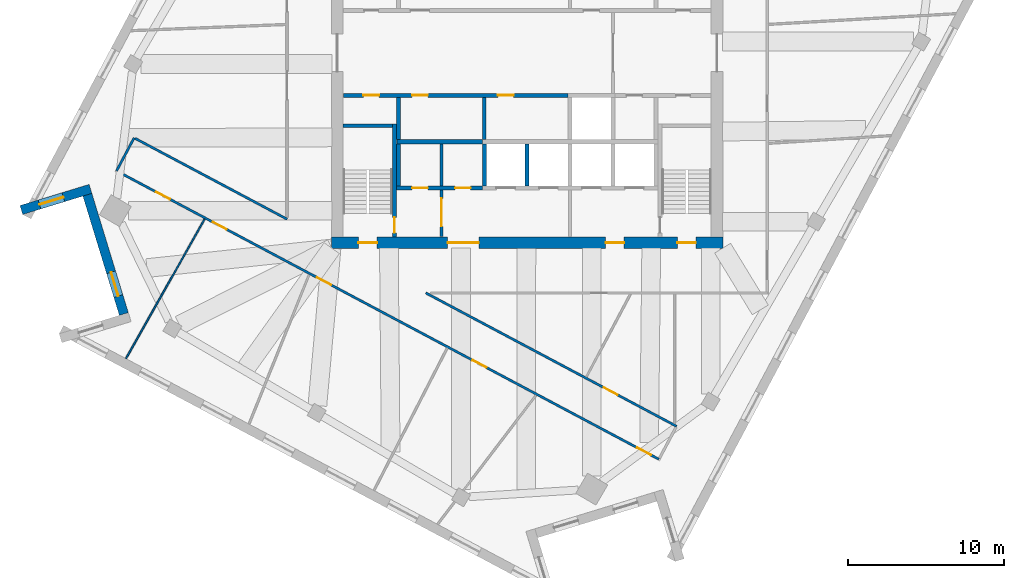
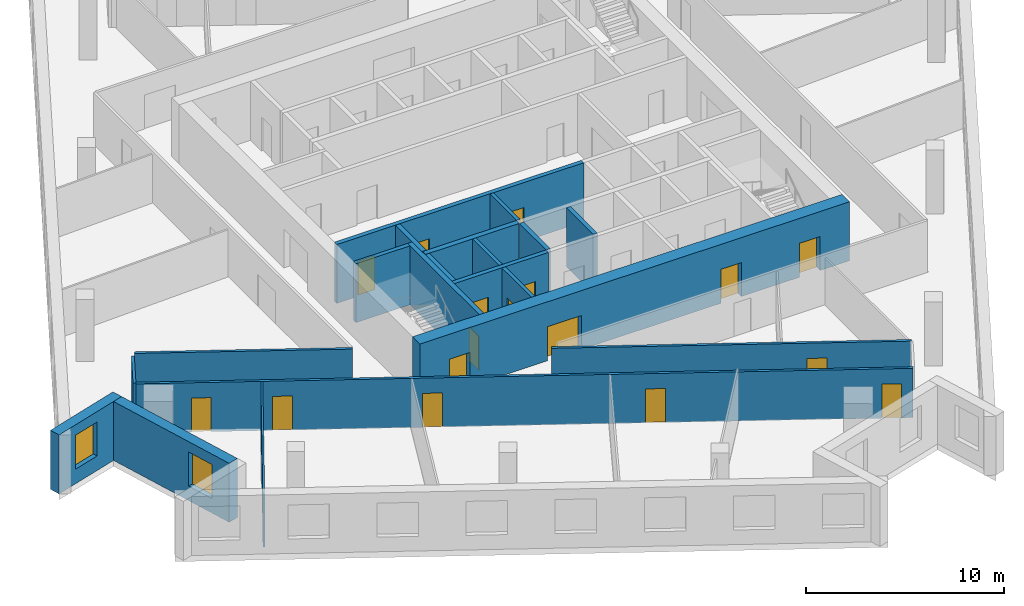
# One storey, part 6 of 13: 20 walls, 17 doors, 2 windows, 19 openings.
"""IFC4 building model written with IfcOpenShell, lengths in metres."""

import ifcopenshell
import ifcopenshell.guid

model = None  # the IFC model being written
_history = None  # IfcOwnerHistory: only IFC2X3 demands one
_inside = {}  # id of a spatial element -> (the spatial element, [elements in it])
_under = {}  # id of a project, library or spatial element -> (it, [spatial elements below it])
_declared = {}  # id of a project -> (the project, [libraries it declares])
_typed = {}  # id of a type object -> (the type object, [elements of that type])
_made_of = {}  # id of a material, layer set ... -> (it, [elements and type objects made of it])


def new_model(schema):
    """Start an empty IFC model of exactly this schema.

    Asked for "IFC4X3", IfcOpenShell would pick the latest addendum, in which some entities
    have other attributes; the version numbers below select the first issue.
    IFC2X3 requires an IfcOwnerHistory on every rooted entity: one is made here for all.
    """
    global model, _history
    if schema == "IFC4X3":
        model = ifcopenshell.file(schema_version=(4, 3, 0, 0))
    else:
        model = ifcopenshell.file(schema=schema)
    _inside.clear()
    _under.clear()
    _declared.clear()
    _typed.clear()
    _made_of.clear()
    _history = None
    if model.schema == "IFC2X3":
        org = make("IfcOrganization", Name="unknown")
        user = make(
            "IfcPersonAndOrganization",
            ThePerson=make("IfcPerson", FamilyName="unknown"),
            TheOrganization=org,
        )
        app = make(
            "IfcApplication",
            ApplicationDeveloper=org,
            Version="unknown",
            ApplicationFullName="unknown",
            ApplicationIdentifier="unknown",
        )
        _history = make(
            "IfcOwnerHistory",
            OwningUser=user,
            OwningApplication=app,
            ChangeAction="ADDED",
            CreationDate=0,
        )
    return model


def make(cls, **values):
    """One entity of the class cls with the attributes given. An attribute that is None is left unset."""
    return model.create_entity(
        cls, **{name: value for name, value in values.items() if value is not None}
    )


def rooted(cls, **values):
    """An entity with a GlobalId (a new one), such as an element, a storey or a relation."""
    return make(cls, GlobalId=ifcopenshell.guid.new(), OwnerHistory=_history, **values)


def si_unit(unit_type, name, prefix=None):
    """IfcSIUnit, for example si_unit("LENGTHUNIT", "METRE", prefix="MILLI")."""
    return make("IfcSIUnit", UnitType=unit_type, Prefix=prefix, Name=name)


def assignment(units):
    """IfcUnitAssignment: the units of a project."""
    return None if units is None else make("IfcUnitAssignment", Units=units)


def point(xyz):
    """IfcCartesianPoint."""
    return None if xyz is None else make("IfcCartesianPoint", Coordinates=xyz)


def direction(xyz):
    """IfcDirection."""
    return None if xyz is None else make("IfcDirection", DirectionRatios=xyz)


def frame(location, z_axis=None, x_axis=None):
    """IfcAxis2Placement3D, a coordinate frame: its origin and axes. An axis left out is left unset."""
    return make(
        "IfcAxis2Placement3D",
        Location=point(location),
        Axis=direction(z_axis),
        RefDirection=direction(x_axis),
    )


def frame_2d(location, x_axis=None):
    """IfcAxis2Placement2D, a coordinate frame in the plane: its origin and x axis."""
    return make(
        "IfcAxis2Placement2D", Location=point(location), RefDirection=direction(x_axis)
    )


def origin():
    """The frame at (0, 0, 0) with its axes left unset."""
    return frame((0.0, 0.0, 0.0))


def place(relative_to, where):
    """IfcLocalPlacement: puts the frame where relative to a parent placement (None: the world)."""
    return make(
        "IfcLocalPlacement", PlacementRelTo=relative_to, RelativePlacement=where
    )


def context(
    kind, dimensions, precision=None, world=None, true_north=None, identifier=None
):
    """IfcGeometricRepresentationContext, for example the 3D "Model" context."""
    return make(
        "IfcGeometricRepresentationContext",
        ContextIdentifier=identifier,
        ContextType=kind,
        CoordinateSpaceDimension=dimensions,
        Precision=precision,
        WorldCoordinateSystem=world,
        TrueNorth=true_north,
    )


def subcontext(parent, identifier, kind, view, scale=None):
    """IfcGeometricRepresentationSubContext, for example "Body" below "Model"."""
    return make(
        "IfcGeometricRepresentationSubContext",
        ContextIdentifier=identifier,
        ContextType=kind,
        ParentContext=parent,
        TargetScale=scale,
        TargetView=view,
    )


def project(units=None, contexts=None):
    """IfcProject with its units and contexts."""
    return rooted(
        "IfcProject",
        Name="project",
        RepresentationContexts=contexts,
        UnitsInContext=assignment(units),
    )


def spatial(cls, under=None, at=None, **own):
    """A site, building, storey or space (cls), placed at a placement, below another one or the project."""
    s = rooted(cls, ObjectPlacement=at, **own)
    if under is not None:
        _under.setdefault(under.id(), (under, []))[1].append(s)
    return s


def profile(cls, at=None, kind="AREA", **sizes):
    """A parametric profile (cls). Its sizes go by their IFC names, for example OverallWidth=200.0."""
    return make(cls, ProfileType=kind, Position=at, **sizes)


def rectangle(**sizes):
    """IfcRectangleProfileDef."""
    return profile("IfcRectangleProfileDef", **sizes)


def extrude(swept, where, along, depth):
    """IfcExtrudedAreaSolid: the profile swept, set in the frame where, extruded along a direction by depth."""
    return make(
        "IfcExtrudedAreaSolid",
        SweptArea=swept,
        Position=where,
        ExtrudedDirection=direction(along),
        Depth=depth,
    )


def shape(context_of_items, identifier, shape_type, items):
    """IfcShapeRepresentation: the items that make up one representation, for example the "Body"."""
    return make(
        "IfcShapeRepresentation",
        ContextOfItems=context_of_items,
        RepresentationIdentifier=identifier,
        RepresentationType=shape_type,
        Items=items,
    )


def material(Name=None, Category=None):
    """IfcMaterial."""
    return make("IfcMaterial", Name=Name, Category=Category)


def layer(
    of_material, thickness, ventilated=None, Name=None, Category=None, Priority=None
):
    """IfcMaterialLayer: one layer of a wall or slab, of a material (None: an air gap)."""
    return make(
        "IfcMaterialLayer",
        Material=of_material,
        LayerThickness=thickness,
        IsVentilated=ventilated,
        Name=Name,
        Category=Category,
        Priority=Priority,
    )


def layer_set(layers, Name=None):
    """IfcMaterialLayerSet."""
    return make("IfcMaterialLayerSet", MaterialLayers=layers, LayerSetName=Name)


def made_of(thing, what):
    """Note that an element or type object is made of a material, layer set ...; save() writes the relation."""
    if what is not None:
        _made_of.setdefault(what.id(), (what, []))[1].append(thing)
    return thing


def type_object(cls, material=None, **own):
    """A type object (cls), such as IfcWallType, which elements share."""
    return made_of(rooted(cls, **own), material)


def element(
    cls,
    number,
    at=None,
    inside=None,
    cuts=None,
    type_object=None,
    material=None,
    context=None,
    identifier="Body",
    shape_type=None,
    held_by="IfcProductDefinitionShape",
    body=None,
    shapes=None,
    **own,
):
    """One element of the class cls, such as IfcWall. Its Tag is "e" and its number.

    at: its placement. inside: the storey or other place that contains it. cuts: it is an
    opening in that element (IfcRelVoidsElement). A single representation is given by context,
    identifier, shape_type and body (its items); several are given by shapes. held_by: the class
    of the entity that holds the representations. save() writes the other relations.
    """
    e = rooted(cls, Tag="e%d" % number, ObjectPlacement=at, **own)
    if body is not None:
        shapes = [shape(context, identifier, shape_type, body)]
    if shapes is not None:
        e.Representation = make(held_by, Representations=shapes)
    if inside is not None:
        _inside.setdefault(inside.id(), (inside, []))[1].append(e)
    if cuts is not None:
        rooted(
            "IfcRelVoidsElement", RelatingBuildingElement=cuts, RelatedOpeningElement=e
        )
    if type_object is not None:
        _typed.setdefault(type_object.id(), (type_object, []))[1].append(e)
    return made_of(e, material)


def fill(opening, filler):
    """IfcRelFillsElement: the door or window that sits in an opening."""
    return rooted(
        "IfcRelFillsElement",
        RelatingOpeningElement=opening,
        RelatedBuildingElement=filler,
    )


def aggregate(whole, parts):
    """IfcRelAggregates: a whole, such as a stair, and the parts it consists of."""
    return rooted("IfcRelAggregates", RelatingObject=whole, RelatedObjects=parts)


def save(model, path):
    """Write the relations noted so far, then the file.

    IfcRelAggregates (storeys below a building ...), IfcRelContainedInSpatialStructure (elements
    in a storey), IfcRelDefinesByType, IfcRelAssociatesMaterial and IfcRelDeclares: one each for
    every whole, place, type object, material and project.
    """
    for whole, parts in _under.values():
        aggregate(whole, parts)
    for where, things in _inside.values():
        rooted(
            "IfcRelContainedInSpatialStructure",
            RelatedElements=things,
            RelatingStructure=where,
        )
    for kind, things in _typed.values():
        rooted("IfcRelDefinesByType", RelatedObjects=things, RelatingType=kind)
    for what, things in _made_of.values():
        rooted("IfcRelAssociatesMaterial", RelatedObjects=things, RelatingMaterial=what)
    for by, libraries in _declared.values():
        rooted("IfcRelDeclares", RelatingContext=by, RelatedDefinitions=libraries)
    model.write(path)


model = new_model("IFC4")

# Units and contexts
model_context = context("Model", 3, precision=1e-05, world=origin(), true_north=direction((0.0, 1.0)))
body_context = subcontext(model_context, "Body", "Model", "MODEL_VIEW")
ifc_project = project(units=[si_unit("LENGTHUNIT", "METRE"), si_unit("AREAUNIT", "SQUARE_METRE"), si_unit("VOLUMEUNIT", "CUBIC_METRE"), si_unit("PLANEANGLEUNIT", "RADIAN"), si_unit("MASSUNIT", "GRAM", prefix="KILO")], contexts=[model_context])

# Site, building, storey
site_placement = place(None, origin())
site = spatial("IfcSite", under=ifc_project, at=site_placement, CompositionType="ELEMENT")
building_placement = place(site_placement, origin())
building = spatial("IfcBuilding", under=site, at=building_placement, Name="Dilmun Exchange Tower", CompositionType="ELEMENT")
storey_placement = place(building_placement, frame((0.0, 0.0, 278.89990234375)))
storey = spatial("IfcBuildingStorey", under=building, at=storey_placement, Name="L66", CompositionType="ELEMENT", Elevation=278.89990234375)

# Wall, opening, door
ifc_material_1 = material(Name="Concrete C40/50", Category="concrete")
ifc_layer_1 = layer(ifc_material_1, 0.199951171875)
ifc_layer_set_1 = layer_set([ifc_layer_1], Name="Concrete C40/50")
wall_type_1 = type_object("IfcWallType", Name="Core partition wall 200", PredefinedType="PARTITIONING", material=ifc_layer_set_1)
wall_1_placement = place(storey_placement, frame((-5.5, -11.794921875, 0.0), z_axis=(0.0, 0.0, 1.0), x_axis=(0.0, 1.0, 0.0)))
wall_1 = element("IfcWall", 1, at=wall_1_placement, inside=storey, type_object=wall_type_1, Name="L66 core partition wall 01", PredefinedType="PARTITIONING", context=body_context, shape_type="SweptSolid", body=[
    extrude(rectangle(XDim=2.989990234375, YDim=0.199951171875, at=frame_2d((1.4951171875, 0.0))), origin(), (0.0, 0.0, 1.0), 3.64013671875),
])
opening_1_placement = place(wall_1_placement, frame((0.657470703125, 0.0, 0.0)))
opening_1 = element("IfcOpeningElement", 2, at=opening_1_placement, cuts=wall_1, Name="Opening CD5", PredefinedType="OPENING", context=body_context, shape_type="SweptSolid", body=[
    extrude(rectangle(XDim=1.800048828125, YDim=2.10009765625, at=frame_2d((0.89990234375, 1.050048828125))), frame((0.0, 0.10986328125, 0.0), z_axis=(0.0, -1.0, 0.0), x_axis=(1.0, 0.0, 0.0)), (0.0, 0.0, 1.0), 0.219970703125),
])
ifc_material_2 = material(Name="Fire-rated steel door set", Category="steel")
door_type_1 = type_object("IfcDoorType", Name="Stair exit door 1800x2100", OperationType="SINGLE_SWING_LEFT", PredefinedType="DOOR", material=ifc_material_2)
door_1_placement = place(opening_1_placement, origin())
door_1 = element("IfcDoor", 3, at=door_1_placement, inside=storey, type_object=door_type_1, Name="L66 door Service lobby east", OperationType="SINGLE_SWING_LEFT", OverallHeight=2.10009765625, OverallWidth=1.800048828125, PredefinedType="DOOR", context=body_context, shape_type="SweptSolid", body=[
    extrude(rectangle(XDim=1.800048828125, YDim=2.10009765625, at=frame_2d((0.89990234375, 1.050048828125))), frame((0.0, 0.02490234375, 0.0), z_axis=(0.0, -1.0, 0.0), x_axis=(1.0, 0.0, 0.0)), (0.0, 0.0, 1.0), 0.050048828125),
])
fill(opening_1, door_1)

# Walls
for number, where, z_axis, x_axis, name in (
    (4, (-5.5, -8.544921875, 0.0), (0.0, 0.0, 1.0), (0.0, 1.0, 0.0), "L66 core partition wall 05"),
    (5, (-2.75, -5.544921875, 0.0), (0.0, 0.0, 1.0), (0.0, 1.0, 0.0), "L66 core partition wall 08"),
):
    element("IfcWall", number, at=place(storey_placement, frame(where, z_axis=z_axis, x_axis=x_axis)), inside=storey, type_object=wall_type_1, Name=name, PredefinedType="PARTITIONING", context=body_context, shape_type="SweptSolid", body=[
        extrude(rectangle(XDim=2.68994140625, YDim=0.199951171875, at=frame_2d((1.344970703125, 0.0))), origin(), (0.0, 0.0, 1.0), 3.64013671875),
    ])

# Wall, openings, doors
ifc_layer_2 = layer(ifc_material_1, 0.25)
ifc_layer_set_2 = layer_set([ifc_layer_2], Name="Concrete C40/50")
wall_type_2 = type_object("IfcWallType", Name="Core partition wall 250", PredefinedType="PARTITIONING", material=ifc_layer_set_2)
wall_2_placement = place(storey_placement, frame((-8.3701171875, -8.675048828125, 0.0), z_axis=(0.0, 0.0, 1.0), x_axis=(1.0, 0.0, 0.0)))
wall_2 = element("IfcWall", 6, at=wall_2_placement, inside=storey, type_object=wall_type_2, Name="L66 core partition wall 03", PredefinedType="PARTITIONING", context=body_context, shape_type="SweptSolid", body=[
    extrude(rectangle(XDim=5.490234375, YDim=0.25, at=frame_2d((2.7451171875, 0.0))), origin(), (0.0, 0.0, 1.0), 3.64013671875),
])
opening_2_placement = place(wall_2_placement, frame((0.9951171875, 0.0, 0.0)))
opening_2 = element("IfcOpeningElement", 7, at=opening_2_placement, cuts=wall_2, Name="Opening CD4", PredefinedType="OPENING", context=body_context, shape_type="SweptSolid", body=[
    extrude(rectangle(XDim=1.0, YDim=2.10009765625, at=frame_2d((0.5, 1.050048828125))), frame((0.0, 0.135009765625, 0.0), z_axis=(0.0, -1.0, 0.0), x_axis=(1.0, 0.0, 0.0)), (0.0, 0.0, 1.0), 0.27001953125),
])
opening_3_placement = place(wall_2_placement, frame((3.7451171875, 0.0, 0.0)))
opening_3 = element("IfcOpeningElement", 8, at=opening_3_placement, cuts=wall_2, Name="Opening CD4", PredefinedType="OPENING", context=body_context, shape_type="SweptSolid", body=[
    extrude(rectangle(XDim=1.0, YDim=2.10009765625, at=frame_2d((0.5, 1.050048828125))), frame((0.0, 0.135009765625, 0.0), z_axis=(0.0, -1.0, 0.0), x_axis=(1.0, 0.0, 0.0)), (0.0, 0.0, 1.0), 0.27001953125),
])
door_type_2 = type_object("IfcDoorType", Name="Core room door 1000x2100", OperationType="SINGLE_SWING_LEFT", PredefinedType="DOOR", material=ifc_material_2)
door_2_placement = place(opening_2_placement, origin())
door_2 = element("IfcDoor", 9, at=door_2_placement, inside=storey, type_object=door_type_2, Name="L66 door Male WC", OperationType="SINGLE_SWING_LEFT", OverallHeight=2.10009765625, OverallWidth=1.0, PredefinedType="DOOR", context=body_context, shape_type="SweptSolid", body=[
    extrude(rectangle(XDim=1.0, YDim=2.10009765625, at=frame_2d((0.5, 1.050048828125))), frame((0.0, 0.02490234375, 0.0), z_axis=(0.0, -1.0, 0.0), x_axis=(1.0, 0.0, 0.0)), (0.0, 0.0, 1.0), 0.050048828125),
])
fill(opening_2, door_2)
door_3_placement = place(opening_3_placement, origin())
door_3 = element("IfcDoor", 10, at=door_3_placement, inside=storey, type_object=door_type_2, Name="L66 door Female WC", OperationType="SINGLE_SWING_LEFT", OverallHeight=2.10009765625, OverallWidth=1.0, PredefinedType="DOOR", context=body_context, shape_type="SweptSolid", body=[
    extrude(rectangle(XDim=1.0, YDim=2.10009765625, at=frame_2d((0.5, 1.050048828125))), frame((0.0, 0.02490234375, 0.0), z_axis=(0.0, -1.0, 0.0), x_axis=(1.0, 0.0, 0.0)), (0.0, 0.0, 1.0), 0.050048828125),
])
fill(opening_3, door_3)

# Walls
for number, where, z_axis, x_axis, name in (
    (11, (-8.25, -8.544921875, 0.0), (0.0, 0.0, 1.0), (0.0, 1.0, 0.0), "L66 core partition wall 04"),
    (12, (-8.25, -5.544921875, 0.0), (0.0, 0.0, 1.0), (0.0, 1.0, 0.0), "L66 core partition wall 07"),
):
    element("IfcWall", number, at=place(storey_placement, frame(where, z_axis=z_axis, x_axis=x_axis)), inside=storey, type_object=wall_type_2, Name=name, PredefinedType="PARTITIONING", context=body_context, shape_type="SweptSolid", body=[
        extrude(rectangle(XDim=2.68994140625, YDim=0.25, at=frame_2d((1.344970703125, 0.0))), origin(), (0.0, 0.0, 1.0), 3.64013671875),
    ])

# Wall, openings, doors
wall_3_placement = place(storey_placement, frame((-11.794921875, -2.72509765625, 0.0), z_axis=(0.0, 0.0, 1.0), x_axis=(1.0, 0.0, 0.0)))
wall_3 = element("IfcWall", 13, at=wall_3_placement, inside=storey, type_object=wall_type_2, Name="L66 core partition wall 10", PredefinedType="PARTITIONING", context=body_context, shape_type="SweptSolid", body=[
    extrude(rectangle(XDim=14.4150390625, YDim=0.25, at=frame_2d((7.20751953125, 0.0))), origin(), (0.0, 0.0, 1.0), 3.64013671875),
])
opening_4_placement = place(wall_3_placement, frame((1.294921875, 0.0, 0.0)))
opening_4 = element("IfcOpeningElement", 14, at=opening_4_placement, cuts=wall_3, Name="Opening CD4", PredefinedType="OPENING", context=body_context, shape_type="SweptSolid", body=[
    extrude(rectangle(XDim=1.0, YDim=2.10009765625, at=frame_2d((0.5, 1.050048828125))), frame((0.0, 0.135009765625, 0.0), z_axis=(0.0, -1.0, 0.0), x_axis=(1.0, 0.0, 0.0)), (0.0, 0.0, 1.0), 0.27001953125),
])
opening_5_placement = place(wall_3_placement, frame((4.419921875, 0.0, 0.0)))
opening_5 = element("IfcOpeningElement", 15, at=opening_5_placement, cuts=wall_3, Name="Opening CD4", PredefinedType="OPENING", context=body_context, shape_type="SweptSolid", body=[
    extrude(rectangle(XDim=1.0, YDim=2.10009765625, at=frame_2d((0.5, 1.050048828125))), frame((0.0, 0.135009765625, 0.0), z_axis=(0.0, -1.0, 0.0), x_axis=(1.0, 0.0, 0.0)), (0.0, 0.0, 1.0), 0.27001953125),
])
opening_6_placement = place(wall_3_placement, frame((9.919921875, 0.0, 0.0)))
opening_6 = element("IfcOpeningElement", 16, at=opening_6_placement, cuts=wall_3, Name="Opening CD4", PredefinedType="OPENING", context=body_context, shape_type="SweptSolid", body=[
    extrude(rectangle(XDim=1.0, YDim=2.10009765625, at=frame_2d((0.5, 1.050048828125))), frame((0.0, 0.135009765625, 0.0), z_axis=(0.0, -1.0, 0.0), x_axis=(1.0, 0.0, 0.0)), (0.0, 0.0, 1.0), 0.27001953125),
])
door_4_placement = place(opening_4_placement, origin())
door_4 = element("IfcDoor", 17, at=door_4_placement, inside=storey, type_object=door_type_2, Name="L66 door Accessible WC", OperationType="SINGLE_SWING_LEFT", OverallHeight=2.10009765625, OverallWidth=1.0, PredefinedType="DOOR", context=body_context, shape_type="SweptSolid", body=[
    extrude(rectangle(XDim=1.0, YDim=2.10009765625, at=frame_2d((0.5, 1.050048828125))), frame((0.0, 0.02490234375, 0.0), z_axis=(0.0, -1.0, 0.0), x_axis=(1.0, 0.0, 0.0)), (0.0, 0.0, 1.0), 0.050048828125),
])
fill(opening_4, door_4)
door_5_placement = place(opening_5_placement, origin())
door_5 = element("IfcDoor", 18, at=door_5_placement, inside=storey, type_object=door_type_2, Name="L66 door Print and mail room", OperationType="SINGLE_SWING_LEFT", OverallHeight=2.10009765625, OverallWidth=1.0, PredefinedType="DOOR", context=body_context, shape_type="SweptSolid", body=[
    extrude(rectangle(XDim=1.0, YDim=2.10009765625, at=frame_2d((0.5, 1.050048828125))), frame((0.0, 0.02490234375, 0.0), z_axis=(0.0, -1.0, 0.0), x_axis=(1.0, 0.0, 0.0)), (0.0, 0.0, 1.0), 0.050048828125),
])
fill(opening_5, door_5)
door_6_placement = place(opening_6_placement, origin())
door_6 = element("IfcDoor", 19, at=door_6_placement, inside=storey, type_object=door_type_2, Name="L66 door Mechanical room", OperationType="SINGLE_SWING_LEFT", OverallHeight=2.10009765625, OverallWidth=1.0, PredefinedType="DOOR", context=body_context, shape_type="SweptSolid", body=[
    extrude(rectangle(XDim=1.0, YDim=2.10009765625, at=frame_2d((0.5, 1.050048828125))), frame((0.0, 0.02490234375, 0.0), z_axis=(0.0, -1.0, 0.0), x_axis=(1.0, 0.0, 0.0)), (0.0, 0.0, 1.0), 0.050048828125),
])
fill(opening_6, door_6)

# Wall
ifc_layer_3 = layer(ifc_material_1, 0.300048828125)
ifc_layer_set_3 = layer_set([ifc_layer_3], Name="Concrete C40/50")
wall_type_3 = type_object("IfcWallType", Name="Core partition wall 300", PredefinedType="PARTITIONING", material=ifc_layer_set_3)
wall_4_placement = place(storey_placement, frame((-8.35009765625, -5.699951171875, 0.0), z_axis=(0.0, 0.0, 1.0), x_axis=(1.0, 0.0, 0.0)))
element("IfcWall", 20, at=wall_4_placement, inside=storey, type_object=wall_type_3, Name="L66 core partition wall 06", PredefinedType="PARTITIONING", context=body_context, shape_type="SweptSolid", body=[
    extrude(rectangle(XDim=5.47021484375, YDim=0.300048828125, at=frame_2d((2.735107421875, 0.0))), origin(), (0.0, 0.0, 1.0), 3.64013671875),
])

# Wall, openings, doors
ifc_material_3 = material(Name="Concrete C50/60", Category="concrete")
ifc_layer_4 = layer(ifc_material_3, 0.75)
ifc_layer_set_4 = layer_set([ifc_layer_4], Name="Concrete C50/60")
wall_type_4 = type_object("IfcWallType", Name="Core shear wall 750 Concrete C50/60", PredefinedType="SHEAR", material=ifc_layer_set_4)
wall_5_placement = place(storey_placement, frame((-12.550048828125, -12.175048828125, 0.0), z_axis=(0.0, 0.0, 1.0), x_axis=(1.0, 0.0, 0.0)))
wall_5 = element("IfcWall", 21, at=wall_5_placement, inside=storey, type_object=wall_type_4, Name="L66 core shear wall S", PredefinedType="SHEAR", context=body_context, shape_type="SweptSolid", body=[
    extrude(rectangle(XDim=25.10009765625, YDim=0.75, at=frame_2d((12.550048828125, 0.0))), origin(), (0.0, 0.0, 1.0), 3.64013671875),
])
opening_7_placement = place(wall_5_placement, frame((7.449951171875, 0.0, 0.0)))
opening_7 = element("IfcOpeningElement", 22, at=opening_7_placement, cuts=wall_5, Name="Opening CD2", PredefinedType="OPENING", context=body_context, shape_type="SweptSolid", body=[
    extrude(rectangle(XDim=2.0, YDim=2.10009765625, at=frame_2d((1.0, 1.050048828125))), frame((0.0, 0.385009765625, 0.0), z_axis=(0.0, -1.0, 0.0), x_axis=(1.0, 0.0, 0.0)), (0.0, 0.0, 1.0), 0.77001953125),
])
opening_8_placement = place(wall_5_placement, frame((17.574951171875, 0.0, 0.0)))
opening_8 = element("IfcOpeningElement", 23, at=opening_8_placement, cuts=wall_5, Name="Opening CD3", PredefinedType="OPENING", context=body_context, shape_type="SweptSolid", body=[
    extrude(rectangle(XDim=1.199951171875, YDim=2.10009765625, at=frame_2d((0.60009765625, 1.050048828125))), frame((0.0, 0.385009765625, 0.0), z_axis=(0.0, -1.0, 0.0), x_axis=(1.0, 0.0, 0.0)), (0.0, 0.0, 1.0), 0.77001953125),
])
opening_9_placement = place(wall_5_placement, frame((1.72509765625, 0.0, 0.0)))
opening_9 = element("IfcOpeningElement", 24, at=opening_9_placement, cuts=wall_5, Name="Opening CD3", PredefinedType="OPENING", context=body_context, shape_type="SweptSolid", body=[
    extrude(rectangle(XDim=1.199951171875, YDim=2.10009765625, at=frame_2d((0.60009765625, 1.050048828125))), frame((0.0, 0.385009765625, 0.0), z_axis=(0.0, -1.0, 0.0), x_axis=(1.0, 0.0, 0.0)), (0.0, 0.0, 1.0), 0.77001953125),
])
opening_10_placement = place(wall_5_placement, frame((22.175048828125, 0.0, 0.0)))
opening_10 = element("IfcOpeningElement", 25, at=opening_10_placement, cuts=wall_5, Name="Opening CD3", PredefinedType="OPENING", context=body_context, shape_type="SweptSolid", body=[
    extrude(rectangle(XDim=1.199951171875, YDim=2.10009765625, at=frame_2d((0.60009765625, 1.050048828125))), frame((0.0, 0.385009765625, 0.0), z_axis=(0.0, -1.0, 0.0), x_axis=(1.0, 0.0, 0.0)), (0.0, 0.0, 1.0), 0.77001953125),
])
door_type_3 = type_object("IfcDoorType", Name="Core service door 2000x2100", OperationType="DOUBLE_DOOR_DOUBLE_SWING", PredefinedType="DOOR", material=ifc_material_2)
door_7_placement = place(opening_7_placement, origin())
door_7 = element("IfcDoor", 26, at=door_7_placement, inside=storey, type_object=door_type_3, Name="L66 door South service lobby", OperationType="SINGLE_SWING_LEFT", OverallHeight=2.10009765625, OverallWidth=2.0, PredefinedType="DOOR", context=body_context, shape_type="SweptSolid", body=[
    extrude(rectangle(XDim=2.0, YDim=2.10009765625, at=frame_2d((1.0, 1.050048828125))), frame((0.0, 0.02490234375, 0.0), z_axis=(0.0, -1.0, 0.0), x_axis=(1.0, 0.0, 0.0)), (0.0, 0.0, 1.0), 0.050048828125),
])
fill(opening_7, door_7)
door_type_4 = type_object("IfcDoorType", Name="Stair exit door 1200x2100", OperationType="SINGLE_SWING_LEFT", PredefinedType="DOOR", material=ifc_material_2)
door_8_placement = place(opening_8_placement, origin())
door_8 = element("IfcDoor", 27, at=door_8_placement, inside=storey, type_object=door_type_4, Name="L66 door Fire-fighting lobby", OperationType="SINGLE_SWING_LEFT", OverallHeight=2.10009765625, OverallWidth=1.199951171875, PredefinedType="DOOR", context=body_context, shape_type="SweptSolid", body=[
    extrude(rectangle(XDim=1.199951171875, YDim=2.10009765625, at=frame_2d((0.60009765625, 1.050048828125))), frame((0.0, 0.02490234375, 0.0), z_axis=(0.0, -1.0, 0.0), x_axis=(1.0, 0.0, 0.0)), (0.0, 0.0, 1.0), 0.050048828125),
])
fill(opening_8, door_8)
door_9_placement = place(opening_9_placement, origin())
door_9 = element("IfcDoor", 28, at=door_9_placement, inside=storey, type_object=door_type_4, Name="L66 door Stair ST2", OperationType="SINGLE_SWING_LEFT", OverallHeight=2.10009765625, OverallWidth=1.199951171875, PredefinedType="DOOR", context=body_context, shape_type="SweptSolid", body=[
    extrude(rectangle(XDim=1.199951171875, YDim=2.10009765625, at=frame_2d((0.60009765625, 1.050048828125))), frame((0.0, 0.02490234375, 0.0), z_axis=(0.0, -1.0, 0.0), x_axis=(1.0, 0.0, 0.0)), (0.0, 0.0, 1.0), 0.050048828125),
])
fill(opening_9, door_9)
door_10_placement = place(opening_10_placement, origin())
door_10 = element("IfcDoor", 29, at=door_10_placement, inside=storey, type_object=door_type_4, Name="L66 door Stair ST3", OperationType="SINGLE_SWING_LEFT", OverallHeight=2.10009765625, OverallWidth=1.199951171875, PredefinedType="DOOR", context=body_context, shape_type="SweptSolid", body=[
    extrude(rectangle(XDim=1.199951171875, YDim=2.10009765625, at=frame_2d((0.60009765625, 1.050048828125))), frame((0.0, 0.02490234375, 0.0), z_axis=(0.0, -1.0, 0.0), x_axis=(1.0, 0.0, 0.0)), (0.0, 0.0, 1.0), 0.050048828125),
])
fill(opening_10, door_10)

# Wall
ifc_material_4 = material(Name="Corridor wall 150")
ifc_layer_5 = layer(ifc_material_4, 0.14990234375)
ifc_layer_set_5 = layer_set([ifc_layer_5], Name="Corridor wall 150")
wall_type_5 = type_object("IfcWallType", Name="Corridor wall 150", PredefinedType="PARTITIONING", material=ifc_layer_set_5)
wall_6_placement = place(storey_placement, frame((-26.3369140625, -7.571044921875, 0.0), z_axis=(0.0, 0.0, 1.0), x_axis=(0.469531998299, 0.882915456073, 0.0)))
element("IfcWall", 30, at=wall_6_placement, inside=storey, type_object=wall_type_5, Name="Corridor wall", PredefinedType="PARTITIONING", context=body_context, shape_type="SweptSolid", body=[
    extrude(rectangle(XDim=2.400146484375, YDim=0.14990234375, at=frame_2d((1.2001953125, 0.0))), origin(), (0.0, 0.0, 1.0), 3.0400390625),
])

# Wall, openings, doors
wall_7_placement = place(storey_placement, frame((-26.270751953125, -7.606201171875, 0.0), z_axis=(0.0, 0.0, 1.0), x_axis=(0.882946860375, -0.469472940385, 0.0)))
wall_7 = element("IfcWall", 31, at=wall_7_placement, inside=storey, type_object=wall_type_5, Name="Corridor wall", PredefinedType="PARTITIONING", context=body_context, shape_type="SweptSolid", body=[
    extrude(rectangle(XDim=39.32470703125, YDim=0.14990234375, at=frame_2d((19.662353515625, 0.0))), origin(), (0.0, 0.0, 1.0), 3.0400390625),
])
opening_11_placement = place(wall_7_placement, frame((2.800048828125, 0.0, 0.0)))
opening_11 = element("IfcOpeningElement", 32, at=opening_11_placement, cuts=wall_7, Name="Opening TF65-D02", PredefinedType="OPENING", context=body_context, shape_type="SweptSolid", body=[
    extrude(rectangle(XDim=1.0, YDim=2.10009765625, at=frame_2d((0.5, 1.050048828125))), frame((0.0, 0.0849609375, 0.0), z_axis=(0.0, -1.0, 0.0), x_axis=(1.0, 0.0, 0.0)), (0.0, 0.0, 1.0), 0.169921875),
])
opening_12_placement = place(wall_7_placement, frame((6.914794921875, 0.0, 0.0)))
opening_12 = element("IfcOpeningElement", 33, at=opening_12_placement, cuts=wall_7, Name="Opening TF65-D04", PredefinedType="OPENING", context=body_context, shape_type="SweptSolid", body=[
    extrude(rectangle(XDim=1.0, YDim=2.10009765625, at=frame_2d((0.5, 1.050048828125))), frame((0.0, 0.0849609375, 0.0), z_axis=(0.0, -1.0, 0.0), x_axis=(1.0, 0.0, 0.0)), (0.0, 0.0, 1.0), 0.169921875),
])
opening_13_placement = place(wall_7_placement, frame((14.498779296875, 0.0, 0.0)))
opening_13 = element("IfcOpeningElement", 34, at=opening_13_placement, cuts=wall_7, Name="Opening TF65-D05", PredefinedType="OPENING", context=body_context, shape_type="SweptSolid", body=[
    extrude(rectangle(XDim=1.0, YDim=2.10009765625, at=frame_2d((0.5, 1.050048828125))), frame((0.0, 0.0849609375, 0.0), z_axis=(0.0, -1.0, 0.0), x_axis=(1.0, 0.0, 0.0)), (0.0, 0.0, 1.0), 0.169921875),
])
opening_14_placement = place(wall_7_placement, frame((25.784912109375, 0.0, 0.0)))
opening_14 = element("IfcOpeningElement", 35, at=opening_14_placement, cuts=wall_7, Name="Opening TF65-D09", PredefinedType="OPENING", context=body_context, shape_type="SweptSolid", body=[
    extrude(rectangle(XDim=1.0, YDim=2.10009765625, at=frame_2d((0.5, 1.050048828125))), frame((0.0, 0.0849609375, 0.0), z_axis=(0.0, -1.0, 0.0), x_axis=(1.0, 0.0, 0.0)), (0.0, 0.0, 1.0), 0.169921875),
])
opening_15_placement = place(wall_7_placement, frame((37.74072265625, 0.0, 0.0)))
opening_15 = element("IfcOpeningElement", 36, at=opening_15_placement, cuts=wall_7, Name="Opening TF65-D15", PredefinedType="OPENING", context=body_context, shape_type="SweptSolid", body=[
    extrude(rectangle(XDim=1.0, YDim=2.10009765625, at=frame_2d((0.5, 1.050048828125))), frame((0.0, 0.0849609375, 0.0), z_axis=(0.0, -1.0, 0.0), x_axis=(1.0, 0.0, 0.0)), (0.0, 0.0, 1.0), 0.169921875),
])
ifc_material_5 = material(Name="Fire door 1000 x 2100")
door_type_5 = type_object("IfcDoorType", Name="Fire door 1000 x 2100", OperationType="NOTDEFINED", PredefinedType="DOOR", material=ifc_material_5)
door_11_placement = place(opening_11_placement, frame((1.0, 0.0, 0.0), z_axis=(0.0, 0.0, 1.0), x_axis=(-1.0, 0.0, 0.0)))
door_11 = element("IfcDoor", 37, at=door_11_placement, inside=storey, type_object=door_type_5, Name="Door TF65-D02", OperationType="SINGLE_SWING_LEFT", OverallHeight=2.10009765625, OverallWidth=1.0, PredefinedType="DOOR", context=body_context, shape_type="SweptSolid", body=[
    extrude(rectangle(XDim=1.0, YDim=2.10009765625, at=frame_2d((0.5, 1.050048828125))), frame((0.0, 0.02490234375, 0.0), z_axis=(0.0, -1.0, 0.0), x_axis=(1.0, 0.0, 0.0)), (0.0, 0.0, 1.0), 0.050048828125),
])
fill(opening_11, door_11)
door_12_placement = place(opening_12_placement, frame((1.0, 0.0, 0.0), z_axis=(0.0, 0.0, 1.0), x_axis=(-1.0, 0.0, 0.0)))
door_12 = element("IfcDoor", 38, at=door_12_placement, inside=storey, type_object=door_type_5, Name="Door TF65-D04", OperationType="SINGLE_SWING_RIGHT", OverallHeight=2.10009765625, OverallWidth=1.0, PredefinedType="DOOR", context=body_context, shape_type="SweptSolid", body=[
    extrude(rectangle(XDim=1.0, YDim=2.10009765625, at=frame_2d((0.5, 1.050048828125))), frame((0.0, 0.02490234375, 0.0), z_axis=(0.0, -1.0, 0.0), x_axis=(1.0, 0.0, 0.0)), (0.0, 0.0, 1.0), 0.050048828125),
])
fill(opening_12, door_12)
door_13_placement = place(opening_13_placement, frame((1.0, 0.0, 0.0), z_axis=(0.0, 0.0, 1.0), x_axis=(-1.0, 0.0, 0.0)))
door_13 = element("IfcDoor", 39, at=door_13_placement, inside=storey, type_object=door_type_5, Name="Door TF65-D05", OperationType="SINGLE_SWING_RIGHT", OverallHeight=2.10009765625, OverallWidth=1.0, PredefinedType="DOOR", context=body_context, shape_type="SweptSolid", body=[
    extrude(rectangle(XDim=1.0, YDim=2.10009765625, at=frame_2d((0.5, 1.050048828125))), frame((0.0, 0.02490234375, 0.0), z_axis=(0.0, -1.0, 0.0), x_axis=(1.0, 0.0, 0.0)), (0.0, 0.0, 1.0), 0.050048828125),
])
fill(opening_13, door_13)
door_14_placement = place(opening_14_placement, frame((1.0, 0.0, 0.0), z_axis=(0.0, 0.0, 1.0), x_axis=(-1.0, 0.0, 0.0)))
door_14 = element("IfcDoor", 40, at=door_14_placement, inside=storey, type_object=door_type_5, Name="Door TF65-D09", OperationType="SINGLE_SWING_LEFT", OverallHeight=2.10009765625, OverallWidth=1.0, PredefinedType="DOOR", context=body_context, shape_type="SweptSolid", body=[
    extrude(rectangle(XDim=1.0, YDim=2.10009765625, at=frame_2d((0.5, 1.050048828125))), frame((0.0, 0.02490234375, 0.0), z_axis=(0.0, -1.0, 0.0), x_axis=(1.0, 0.0, 0.0)), (0.0, 0.0, 1.0), 0.050048828125),
])
fill(opening_14, door_14)
door_15_placement = place(opening_15_placement, frame((1.0, 0.0, 0.0), z_axis=(0.0, 0.0, 1.0), x_axis=(-1.0, 0.0, 0.0)))
door_15 = element("IfcDoor", 41, at=door_15_placement, inside=storey, type_object=door_type_5, Name="Door TF65-D15", OperationType="SINGLE_SWING_LEFT", OverallHeight=2.10009765625, OverallWidth=1.0, PredefinedType="DOOR", context=body_context, shape_type="SweptSolid", body=[
    extrude(rectangle(XDim=1.0, YDim=2.10009765625, at=frame_2d((0.5, 1.050048828125))), frame((0.0, 0.02490234375, 0.0), z_axis=(0.0, -1.0, 0.0), x_axis=(1.0, 0.0, 0.0)), (0.0, 0.0, 1.0), 0.050048828125),
])
fill(opening_15, door_15)

# Wall
wall_8_placement = place(storey_placement, frame((-25.143798828125, -5.4873046875, 0.0), z_axis=(0.0, 0.0, 1.0), x_axis=(0.882957268676, -0.469453364769, 0.0)))
element("IfcWall", 42, at=wall_8_placement, inside=storey, type_object=wall_type_5, Name="Corridor wall", PredefinedType="PARTITIONING", context=body_context, shape_type="SweptSolid", body=[
    extrude(rectangle(XDim=11.03564453125, YDim=0.14990234375, at=frame_2d((5.517822265625, 0.0))), origin(), (0.0, 0.0, 1.0), 3.239990234375),
])

# Wall, opening, door
wall_9_placement = place(storey_placement, frame((-6.5009765625, -15.39990234375, 0.0), z_axis=(0.0, 0.0, 1.0), x_axis=(0.882952324659, -0.469462663456, 0.0)))
wall_9 = element("IfcWall", 43, at=wall_9_placement, inside=storey, type_object=wall_type_5, Name="Corridor wall", PredefinedType="PARTITIONING", context=body_context, shape_type="SweptSolid", body=[
    extrude(rectangle(XDim=18.21044921875, YDim=0.14990234375, at=frame_2d((9.105224609375, 0.0))), origin(), (0.0, 0.0, 1.0), 3.0400390625),
])
opening_16_placement = place(wall_9_placement, frame((12.923583984375, 0.0, 0.0)))
opening_16 = element("IfcOpeningElement", 44, at=opening_16_placement, cuts=wall_9, Name="Opening TF65-D13", PredefinedType="OPENING", context=body_context, shape_type="SweptSolid", body=[
    extrude(rectangle(XDim=1.0, YDim=2.10009765625, at=frame_2d((0.5, 1.050048828125))), frame((0.0, 0.0849609375, 0.0), z_axis=(0.0, -1.0, 0.0), x_axis=(1.0, 0.0, 0.0)), (0.0, 0.0, 1.0), 0.169921875),
])
door_16_placement = place(opening_16_placement, origin())
door_16 = element("IfcDoor", 45, at=door_16_placement, inside=storey, type_object=door_type_5, Name="Door TF65-D13", OperationType="SINGLE_SWING_RIGHT", OverallHeight=2.10009765625, OverallWidth=1.0, PredefinedType="DOOR", context=body_context, shape_type="SweptSolid", body=[
    extrude(rectangle(XDim=1.0, YDim=2.10009765625, at=frame_2d((0.5, 1.050048828125))), frame((0.0, 0.02490234375, 0.0), z_axis=(0.0, -1.0, 0.0), x_axis=(1.0, 0.0, 0.0)), (0.0, 0.0, 1.0), 0.050048828125),
])
fill(opening_16, door_16)

# Walls
ifc_layer_6 = layer(ifc_material_1, 0.25)
ifc_layer_set_6 = layer_set([ifc_layer_6], Name="Concrete C40/50")
wall_type_6 = type_object("IfcWallType", Name="Lift shaft wall 250", PredefinedType="SOLIDWALL", material=ifc_layer_set_6)
for number, where, z_axis, x_axis, name in (
    (46, (-2.75, -8.550048828125, 0.0), (0.0, 0.0, 1.0), (0.0, 1.0, 0.0), "L66 lift shaft divider S22"),
    (47, (0.0, -8.550048828125, 0.0), (0.0, 0.0, 1.0), (0.0, 1.0, 0.0), "L66 lift shaft divider S23"),
):
    element("IfcWall", number, at=place(storey_placement, frame(where, z_axis=z_axis, x_axis=x_axis)), inside=storey, type_object=wall_type_6, Name=name, PredefinedType="SOLIDWALL", context=body_context, shape_type="SweptSolid", body=[
        extrude(rectangle(XDim=2.699951171875, YDim=0.25, at=frame_2d((1.35009765625, 0.0))), origin(), (0.0, 0.0, 1.0), 3.64013671875),
    ])
ifc_material_6 = material(Name="Partition 100")
ifc_layer_7 = layer(ifc_material_6, 0.10009765625)
ifc_layer_set_7 = layer_set([ifc_layer_7], Name="Partition 100")
wall_type_7 = type_object("IfcWallType", Name="Partition 100", PredefinedType="PARTITIONING", material=ifc_layer_set_7)
wall_10_placement = place(storey_placement, frame((-25.737060546875, -19.610595703125, 0.0), z_axis=(0.0, 0.0, 1.0), x_axis=(0.491415925423, 0.870925018725, 0.0)))
element("IfcWall", 48, at=wall_10_placement, inside=storey, type_object=wall_type_7, Name="Partition", PredefinedType="PARTITIONING", context=body_context, shape_type="SweptSolid", body=[
    extrude(rectangle(XDim=10.275634765625, YDim=0.10009765625, at=frame_2d((5.1376953125, 0.0))), origin(), (0.0, 0.0, 1.0), 3.0400390625),
])

# Wall, opening, window
ifc_material_7 = material(Name="Precast concrete C50/60", Category="concrete")
ifc_layer_8 = layer(ifc_material_7, 0.60009765625)
ifc_layer_set_8 = layer_set([ifc_layer_8], Name="Precast concrete C50/60")
wall_type_8 = type_object("IfcWallType", Name="Precast stone-clad wall 600", PredefinedType="STANDARD", material=ifc_layer_set_8)
wall_11_placement = place(storey_placement, frame((-32.44189453125, -10.080322265625, 0.0), z_axis=(0.0, 0.0, 1.0), x_axis=(0.956306994041, 0.2923643842, 0.0)))
wall_11 = element("IfcWall", 49, at=wall_11_placement, inside=storey, type_object=wall_type_8, Name="Facade wall L66-04", PredefinedType="STANDARD", context=body_context, shape_type="SweptSolid", body=[
    extrude(rectangle(XDim=4.635498046875, YDim=0.60009765625, at=frame_2d((2.31787109375, 0.0))), origin(), (0.0, 0.0, 1.0), 3.64013671875),
])
opening_17_placement = place(wall_11_placement, frame((1.2177734375, 0.0, 0.89990234375)))
opening_17 = element("IfcOpeningElement", 50, at=opening_17_placement, cuts=wall_11, Name="Opening W160-210", PredefinedType="OPENING", context=body_context, shape_type="SweptSolid", body=[
    extrude(rectangle(XDim=1.60009765625, YDim=2.10009765625, at=frame_2d((0.800048828125, 1.050048828125))), frame((0.0, 0.31005859375, 0.0), z_axis=(0.0, -1.0, 0.0), x_axis=(1.0, 0.0, 0.0)), (0.0, 0.0, 1.0), 0.6201171875),
])
ifc_material_8 = material(Name="Clear low-emissivity glass in aluminium frame", Category="aluminium")
window_type = type_object("IfcWindowType", Name="Punched window 1600 x 2100", PartitioningType="DOUBLE_PANEL_VERTICAL", PredefinedType="WINDOW", material=ifc_material_8)
window_1_placement = place(opening_17_placement, origin())
window_1 = element("IfcWindow", 51, at=window_1_placement, inside=storey, type_object=window_type, Name="Window 5.1", OverallHeight=2.10009765625, OverallWidth=1.60009765625, PartitioningType="SINGLE_PANEL", PredefinedType="WINDOW", context=body_context, shape_type="SweptSolid", body=[
    extrude(rectangle(XDim=1.60009765625, YDim=2.10009765625, at=frame_2d((0.800048828125, 1.050048828125))), frame((0.0, 0.030029296875, 0.0), z_axis=(0.0, -1.0, 0.0), x_axis=(1.0, 0.0, 0.0)), (0.0, 0.0, 1.0), 0.06005859375),
])
fill(opening_17, window_1)

wall_12_placement = place(storey_placement, frame((-28.208251953125, -9.099609375, 0.0), z_axis=(0.0, 0.0, 1.0), x_axis=(0.292389102139, -0.956299436866, 0.0)))
wall_12 = element("IfcWall", 52, at=wall_12_placement, inside=storey, type_object=wall_type_8, Name="Facade wall L66-05", PredefinedType="STANDARD", context=body_context, shape_type="SweptSolid", body=[
    extrude(rectangle(XDim=8.0, YDim=0.60009765625, at=frame_2d((4.0, 0.0))), origin(), (0.0, 0.0, 1.0), 3.64013671875),
])
opening_18_placement = place(wall_12_placement, frame((5.199951171875, 0.0, 0.89990234375)))
opening_18 = element("IfcOpeningElement", 53, at=opening_18_placement, cuts=wall_12, Name="Opening W160-210", PredefinedType="OPENING", context=body_context, shape_type="SweptSolid", body=[
    extrude(rectangle(XDim=1.60009765625, YDim=2.10009765625, at=frame_2d((0.800048828125, 1.050048828125))), frame((0.0, 0.31005859375, 0.0), z_axis=(0.0, -1.0, 0.0), x_axis=(1.0, 0.0, 0.0)), (0.0, 0.0, 1.0), 0.6201171875),
])
window_2_placement = place(opening_18_placement, origin())
window_2 = element("IfcWindow", 54, at=window_2_placement, inside=storey, type_object=window_type, Name="Window 6.2", OverallHeight=2.10009765625, OverallWidth=1.60009765625, PartitioningType="SINGLE_PANEL", PredefinedType="WINDOW", context=body_context, shape_type="SweptSolid", body=[
    extrude(rectangle(XDim=1.60009765625, YDim=2.10009765625, at=frame_2d((0.800048828125, 1.050048828125))), frame((0.0, 0.030029296875, 0.0), z_axis=(0.0, -1.0, 0.0), x_axis=(1.0, 0.0, 0.0)), (0.0, 0.0, 1.0), 0.06005859375),
])
fill(opening_18, window_2)

# Wall
ifc_layer_9 = layer(ifc_material_1, 0.25)
ifc_layer_set_9 = layer_set([ifc_layer_9], Name="Concrete C40/50")
wall_type_9 = type_object("IfcWallType", Name="Stair end wall 250", PredefinedType="SOLIDWALL", material=ifc_layer_set_9)
wall_13_placement = place(storey_placement, frame((-8.64990234375, -4.675048828125, 0.0), z_axis=(0.0, 0.0, 1.0), x_axis=(-1.0, 0.0, 0.0)))
element("IfcWall", 55, at=wall_13_placement, inside=storey, type_object=wall_type_9, Name="L66 ST2 far wall", PredefinedType="SOLIDWALL", context=body_context, shape_type="SweptSolid", body=[
    extrude(rectangle(XDim=3.150146484375, YDim=0.25, at=frame_2d((1.5751953125, 0.0))), origin(), (0.0, 0.0, 1.0), 3.64013671875),
])

# Wall, opening, door
ifc_layer_10 = layer(ifc_material_1, 0.27490234375)
ifc_layer_set_10 = layer_set([ifc_layer_10], Name="Concrete C40/50")
wall_type_10 = type_object("IfcWallType", Name="Stair wall 275", PredefinedType="SOLIDWALL", material=ifc_layer_set_10)
wall_14_placement = place(storey_placement, frame((-8.512451171875, -4.550048828125, 0.0), z_axis=(0.0, 0.0, 1.0), x_axis=(0.0, -1.0, 0.0)))
wall_14 = element("IfcWall", 56, at=wall_14_placement, inside=storey, type_object=wall_type_10, Name="L66 ST2 wall to lift block", PredefinedType="SOLIDWALL", context=body_context, shape_type="SweptSolid", body=[
    extrude(rectangle(XDim=7.25, YDim=0.27490234375, at=frame_2d((3.625, 0.0))), origin(), (0.0, 0.0, 1.0), 3.64013671875),
])
opening_19_placement = place(wall_14_placement, frame((6.0, 0.0, 0.0)))
opening_19 = element("IfcOpeningElement", 57, at=opening_19_placement, cuts=wall_14, Name="Opening CD4", PredefinedType="OPENING", context=body_context, shape_type="SweptSolid", body=[
    extrude(rectangle(XDim=1.0, YDim=2.10009765625, at=frame_2d((0.5, 1.050048828125))), frame((0.0, 0.1474609375, 0.0), z_axis=(0.0, -1.0, 0.0), x_axis=(1.0, 0.0, 0.0)), (0.0, 0.0, 1.0), 0.294921875),
])
door_17_placement = place(opening_19_placement, origin())
door_17 = element("IfcDoor", 58, at=door_17_placement, inside=storey, type_object=door_type_2, Name="L66 door ST2 from lobby", OperationType="SINGLE_SWING_LEFT", OverallHeight=2.10009765625, OverallWidth=1.0, PredefinedType="DOOR", context=body_context, shape_type="SweptSolid", body=[
    extrude(rectangle(XDim=1.0, YDim=2.10009765625, at=frame_2d((0.5, 1.050048828125))), frame((0.0, 0.02490234375, 0.0), z_axis=(0.0, -1.0, 0.0), x_axis=(1.0, 0.0, 0.0)), (0.0, 0.0, 1.0), 0.050048828125),
])
fill(opening_19, door_17)

save(model, "model.ifc")
